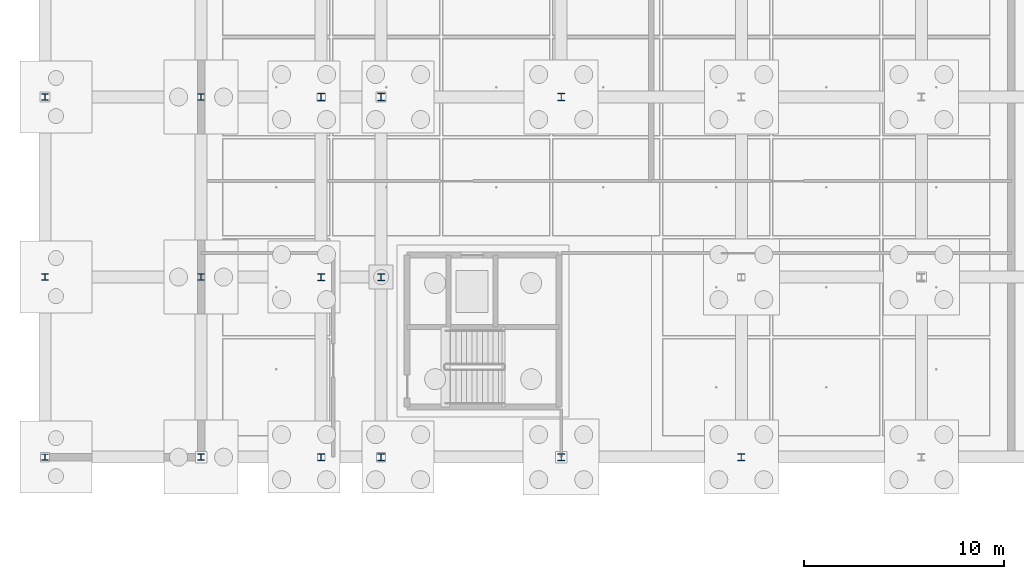
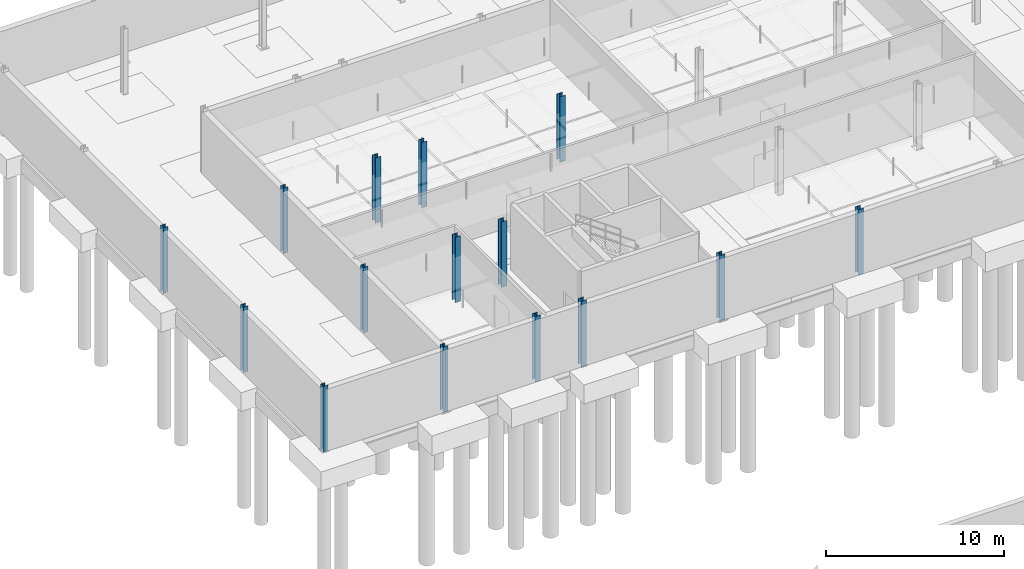
# One storey, part 11 of 48: 15 columns.
"""IFC4 building model written with IfcOpenShell, lengths in metres."""

import ifcopenshell
import ifcopenshell.guid

model = None  # the IFC model being written
_history = None  # IfcOwnerHistory: only IFC2X3 demands one
_inside = {}  # id of a spatial element -> (the spatial element, [elements in it])
_under = {}  # id of a project, library or spatial element -> (it, [spatial elements below it])
_declared = {}  # id of a project -> (the project, [libraries it declares])
_typed = {}  # id of a type object -> (the type object, [elements of that type])
_made_of = {}  # id of a material, layer set ... -> (it, [elements and type objects made of it])


def new_model(schema):
    """Start an empty IFC model of exactly this schema.

    Asked for "IFC4X3", IfcOpenShell would pick the latest addendum, in which some entities
    have other attributes; the version numbers below select the first issue.
    IFC2X3 requires an IfcOwnerHistory on every rooted entity: one is made here for all.
    """
    global model, _history
    if schema == "IFC4X3":
        model = ifcopenshell.file(schema_version=(4, 3, 0, 0))
    else:
        model = ifcopenshell.file(schema=schema)
    _inside.clear()
    _under.clear()
    _declared.clear()
    _typed.clear()
    _made_of.clear()
    _history = None
    if model.schema == "IFC2X3":
        org = make("IfcOrganization", Name="unknown")
        user = make(
            "IfcPersonAndOrganization",
            ThePerson=make("IfcPerson", FamilyName="unknown"),
            TheOrganization=org,
        )
        app = make(
            "IfcApplication",
            ApplicationDeveloper=org,
            Version="unknown",
            ApplicationFullName="unknown",
            ApplicationIdentifier="unknown",
        )
        _history = make(
            "IfcOwnerHistory",
            OwningUser=user,
            OwningApplication=app,
            ChangeAction="ADDED",
            CreationDate=0,
        )
    return model


def make(cls, **values):
    """One entity of the class cls with the attributes given. An attribute that is None is left unset."""
    return model.create_entity(
        cls, **{name: value for name, value in values.items() if value is not None}
    )


def rooted(cls, **values):
    """An entity with a GlobalId (a new one), such as an element, a storey or a relation."""
    return make(cls, GlobalId=ifcopenshell.guid.new(), OwnerHistory=_history, **values)


def si_unit(unit_type, name, prefix=None):
    """IfcSIUnit, for example si_unit("LENGTHUNIT", "METRE", prefix="MILLI")."""
    return make("IfcSIUnit", UnitType=unit_type, Prefix=prefix, Name=name)


def assignment(units):
    """IfcUnitAssignment: the units of a project."""
    return None if units is None else make("IfcUnitAssignment", Units=units)


def point(xyz):
    """IfcCartesianPoint."""
    return None if xyz is None else make("IfcCartesianPoint", Coordinates=xyz)


def direction(xyz):
    """IfcDirection."""
    return None if xyz is None else make("IfcDirection", DirectionRatios=xyz)


def frame(location, z_axis=None, x_axis=None):
    """IfcAxis2Placement3D, a coordinate frame: its origin and axes. An axis left out is left unset."""
    return make(
        "IfcAxis2Placement3D",
        Location=point(location),
        Axis=direction(z_axis),
        RefDirection=direction(x_axis),
    )


def frame_2d(location, x_axis=None):
    """IfcAxis2Placement2D, a coordinate frame in the plane: its origin and x axis."""
    return make(
        "IfcAxis2Placement2D", Location=point(location), RefDirection=direction(x_axis)
    )


def origin():
    """The frame at (0, 0, 0) with its axes left unset."""
    return frame((0.0, 0.0, 0.0))


def origin_2d():
    """The frame at (0, 0) in the plane with its x axis left unset."""
    return frame_2d((0.0, 0.0))


def place(relative_to, where):
    """IfcLocalPlacement: puts the frame where relative to a parent placement (None: the world)."""
    return make(
        "IfcLocalPlacement", PlacementRelTo=relative_to, RelativePlacement=where
    )


def context(
    kind, dimensions, precision=None, world=None, true_north=None, identifier=None
):
    """IfcGeometricRepresentationContext, for example the 3D "Model" context."""
    return make(
        "IfcGeometricRepresentationContext",
        ContextIdentifier=identifier,
        ContextType=kind,
        CoordinateSpaceDimension=dimensions,
        Precision=precision,
        WorldCoordinateSystem=world,
        TrueNorth=true_north,
    )


def subcontext(parent, identifier, kind, view, scale=None):
    """IfcGeometricRepresentationSubContext, for example "Body" below "Model"."""
    return make(
        "IfcGeometricRepresentationSubContext",
        ContextIdentifier=identifier,
        ContextType=kind,
        ParentContext=parent,
        TargetScale=scale,
        TargetView=view,
    )


def project(units=None, contexts=None):
    """IfcProject with its units and contexts."""
    return rooted(
        "IfcProject",
        Name="project",
        RepresentationContexts=contexts,
        UnitsInContext=assignment(units),
    )


def spatial(cls, under=None, at=None, **own):
    """A site, building, storey or space (cls), placed at a placement, below another one or the project."""
    s = rooted(cls, ObjectPlacement=at, **own)
    if under is not None:
        _under.setdefault(under.id(), (under, []))[1].append(s)
    return s


def profile(cls, at=None, kind="AREA", **sizes):
    """A parametric profile (cls). Its sizes go by their IFC names, for example OverallWidth=200.0."""
    return make(cls, ProfileType=kind, Position=at, **sizes)


def i_section(**sizes):
    """IfcIShapeProfileDef."""
    return profile("IfcIShapeProfileDef", **sizes)


def extrude(swept, where, along, depth):
    """IfcExtrudedAreaSolid: the profile swept, set in the frame where, extruded along a direction by depth."""
    return make(
        "IfcExtrudedAreaSolid",
        SweptArea=swept,
        Position=where,
        ExtrudedDirection=direction(along),
        Depth=depth,
    )


def shape(context_of_items, identifier, shape_type, items):
    """IfcShapeRepresentation: the items that make up one representation, for example the "Body"."""
    return make(
        "IfcShapeRepresentation",
        ContextOfItems=context_of_items,
        RepresentationIdentifier=identifier,
        RepresentationType=shape_type,
        Items=items,
    )


def material(Name=None, Category=None):
    """IfcMaterial."""
    return make("IfcMaterial", Name=Name, Category=Category)


def material_profile(
    of_material, cross_section, Name=None, Category=None, Priority=None
):
    """IfcMaterialProfile: a cross section and its material."""
    return make(
        "IfcMaterialProfile",
        Name=Name,
        Material=of_material,
        Profile=cross_section,
        Priority=Priority,
        Category=Category,
    )


def profile_set(profiles, Name=None, composite=None):
    """IfcMaterialProfileSet."""
    return make(
        "IfcMaterialProfileSet",
        Name=Name,
        MaterialProfiles=profiles,
        CompositeProfile=composite,
    )


def made_of(thing, what):
    """Note that an element or type object is made of a material, layer set ...; save() writes the relation."""
    if what is not None:
        _made_of.setdefault(what.id(), (what, []))[1].append(thing)
    return thing


def type_object(cls, material=None, **own):
    """A type object (cls), such as IfcWallType, which elements share."""
    return made_of(rooted(cls, **own), material)


def element(
    cls,
    number,
    at=None,
    inside=None,
    cuts=None,
    type_object=None,
    material=None,
    context=None,
    identifier="Body",
    shape_type=None,
    held_by="IfcProductDefinitionShape",
    body=None,
    shapes=None,
    **own,
):
    """One element of the class cls, such as IfcWall. Its Tag is "e" and its number.

    at: its placement. inside: the storey or other place that contains it. cuts: it is an
    opening in that element (IfcRelVoidsElement). A single representation is given by context,
    identifier, shape_type and body (its items); several are given by shapes. held_by: the class
    of the entity that holds the representations. save() writes the other relations.
    """
    e = rooted(cls, Tag="e%d" % number, ObjectPlacement=at, **own)
    if body is not None:
        shapes = [shape(context, identifier, shape_type, body)]
    if shapes is not None:
        e.Representation = make(held_by, Representations=shapes)
    if inside is not None:
        _inside.setdefault(inside.id(), (inside, []))[1].append(e)
    if cuts is not None:
        rooted(
            "IfcRelVoidsElement", RelatingBuildingElement=cuts, RelatedOpeningElement=e
        )
    if type_object is not None:
        _typed.setdefault(type_object.id(), (type_object, []))[1].append(e)
    return made_of(e, material)


def aggregate(whole, parts):
    """IfcRelAggregates: a whole, such as a stair, and the parts it consists of."""
    return rooted("IfcRelAggregates", RelatingObject=whole, RelatedObjects=parts)


def save(model, path):
    """Write the relations noted so far, then the file.

    IfcRelAggregates (storeys below a building ...), IfcRelContainedInSpatialStructure (elements
    in a storey), IfcRelDefinesByType, IfcRelAssociatesMaterial and IfcRelDeclares: one each for
    every whole, place, type object, material and project.
    """
    for whole, parts in _under.values():
        aggregate(whole, parts)
    for where, things in _inside.values():
        rooted(
            "IfcRelContainedInSpatialStructure",
            RelatedElements=things,
            RelatingStructure=where,
        )
    for kind, things in _typed.values():
        rooted("IfcRelDefinesByType", RelatedObjects=things, RelatingType=kind)
    for what, things in _made_of.values():
        rooted("IfcRelAssociatesMaterial", RelatedObjects=things, RelatingMaterial=what)
    for by, libraries in _declared.values():
        rooted("IfcRelDeclares", RelatingContext=by, RelatedDefinitions=libraries)
    model.write(path)


model = new_model("IFC4")

# Units and contexts
model_context = context("Model", 3, precision=1e-05, world=origin(), true_north=direction((0.0, 1.0)))
body_context = subcontext(model_context, "Body", "Model", "MODEL_VIEW")
ifc_project = project(units=[si_unit("LENGTHUNIT", "METRE"), si_unit("AREAUNIT", "SQUARE_METRE"), si_unit("VOLUMEUNIT", "CUBIC_METRE"), si_unit("PLANEANGLEUNIT", "RADIAN"), si_unit("MASSUNIT", "GRAM", prefix="KILO"), si_unit("THERMODYNAMICTEMPERATUREUNIT", "KELVIN"), si_unit("POWERUNIT", "WATT")], contexts=[model_context])

# Site, building, storey
site_placement = place(None, origin())
site = spatial("IfcSite", under=ifc_project, at=site_placement, CompositionType="ELEMENT")
building_placement = place(site_placement, origin())
building = spatial("IfcBuilding", under=site, at=building_placement, Name="Tallowbark Science Centre", CompositionType="ELEMENT")
storey_placement = place(building_placement, frame((0.0, 0.0, -4.5)))
storey = spatial("IfcBuildingStorey", under=building, at=storey_placement, Name="B1", CompositionType="ELEMENT", Elevation=-4.5)

# Columns
ifc_material = material(Name="Structural Steel Grade 300PLUS (300 MPa)", Category="steel")
ifc_material_profile_1 = material_profile(ifc_material, i_section(OverallWidth=0.30908203125, OverallDepth=0.320556640625, WebThickness=0.013916015625, FlangeThickness=0.021728515625, FilletRadius=0.0166015625, at=origin_2d()), Name="310UC137")
ifc_profile_set_1 = profile_set([ifc_material_profile_1], Name="Structural Steel Grade 300PLUS (300 MPa)")
column_type_1 = type_object("IfcColumnType", Name="COL-UC310B", PredefinedType="COLUMN", material=ifc_profile_set_1)
for number, where, z_axis, x_axis, name in (
    (1, (63.0, 72.0, 0.0), (0.0, 0.0, 1.0), (1.0, 0.0, 0.0), "Column LAB-1_0 B1"),
    (2, (63.0, 81.0, 0.0), (0.0, 0.0, 1.0), (1.0, 0.0, 0.0), "Column LAB-1_1 B1"),
    (3, (63.0, 90.0, 0.0), (0.0, 0.0, 1.0), (1.0, 0.0, 0.0), "Column LAB-1_2 B1"),
):
    element("IfcColumn", number, at=place(storey_placement, frame(where, z_axis=z_axis, x_axis=x_axis)), inside=storey, type_object=column_type_1, Name=name, PredefinedType="COLUMN", context=body_context, shape_type="SweptSolid", body=[
        extrude(i_section(OverallWidth=0.30908203125, OverallDepth=0.320556640625, WebThickness=0.013916015625, FlangeThickness=0.021728515625, FilletRadius=0.0166015625, at=origin_2d()), origin(), (0.0, 0.0, 1.0), 4.5),
    ])
ifc_material_profile_2 = material_profile(ifc_material, i_section(OverallWidth=0.307373046875, OverallDepth=0.314697265625, WebThickness=0.011962890625, FlangeThickness=0.018798828125, FilletRadius=0.0166015625, at=origin_2d()), Name="310UC118")
ifc_profile_set_2 = profile_set([ifc_material_profile_2], Name="Structural Steel Grade 300PLUS (300 MPa)")
column_type_2 = type_object("IfcColumnType", Name="COL-UC310C", PredefinedType="COLUMN", material=ifc_profile_set_2)
for number, where, z_axis, x_axis, name in (
    (4, (55.199951171875, 72.0, 0.0), (0.0, 0.0, 1.0), (1.0, 0.0, 0.0), "Column LAB-0_0 B1"),
    (5, (55.199951171875, 81.0, 0.0), (0.0, 0.0, 1.0), (1.0, 0.0, 0.0), "Column LAB-0_1 B1"),
    (6, (55.199951171875, 90.0, 0.0), (0.0, 0.0, 1.0), (1.0, 0.0, 0.0), "Column LAB-0_2 B1"),
):
    element("IfcColumn", number, at=place(storey_placement, frame(where, z_axis=z_axis, x_axis=x_axis)), inside=storey, type_object=column_type_2, Name=name, PredefinedType="COLUMN", context=body_context, shape_type="SweptSolid", body=[
        extrude(i_section(OverallWidth=0.307373046875, OverallDepth=0.314697265625, WebThickness=0.011962890625, FlangeThickness=0.018798828125, FilletRadius=0.0166015625, at=origin_2d()), origin(), (0.0, 0.0, 1.0), 4.5),
    ])
ifc_material_profile_3 = material_profile(ifc_material, i_section(OverallWidth=0.35009765625, OverallDepth=0.35888671875, WebThickness=0.01611328125, FlangeThickness=0.02392578125, FilletRadius=0.013916015625, at=origin_2d()), Name="350WC197")
ifc_profile_set_3 = profile_set([ifc_material_profile_3], Name="Structural Steel Grade 300PLUS (300 MPa)")
column_type_3 = type_object("IfcColumnType", Name="COL-WC350", PredefinedType="COLUMN", material=ifc_profile_set_3)
for number, where, z_axis, x_axis, name in (
    (7, (69.0, 72.0, 0.0), (0.0, 0.0, 1.0), (1.0, 0.0, 0.0), "Column LAB-2_0 B1"),
    (8, (69.0, 81.0, 0.0), (0.0, 0.0, 1.0), (1.0, 0.0, 0.0), "Column LAB-2_1 B1"),
    (9, (69.0, 90.0, 0.0), (0.0, 0.0, 1.0), (1.0, 0.0, 0.0), "Column LAB-2_2 B1"),
    (10, (72.0, 72.0, 0.0), (0.0, 0.0, 1.0), (1.0, 0.0, 0.0), "Column LAB-3_0 B1"),
    (11, (72.0, 81.0, 0.0), (0.0, 0.0, 1.0), (1.0, 0.0, 0.0), "Column LAB-3_1 B1"),
    (12, (72.0, 90.0, 0.0), (0.0, 0.0, 1.0), (1.0, 0.0, 0.0), "Column LAB-3_2 B1"),
    (13, (81.0, 72.0, 0.0), (0.0, 0.0, 1.0), (1.0, 0.0, 0.0), "Column LAB-4_0 B1"),
    (14, (81.0, 90.0, 0.0), (0.0, 0.0, 1.0), (1.0, 0.0, 0.0), "Column LAB-4_2 B1"),
    (15, (90.0, 72.0, 0.0), (0.0, 0.0, 1.0), (1.0, 0.0, 0.0), "Column LAB-5_0 B1"),
):
    element("IfcColumn", number, at=place(storey_placement, frame(where, z_axis=z_axis, x_axis=x_axis)), inside=storey, type_object=column_type_3, Name=name, PredefinedType="COLUMN", context=body_context, shape_type="SweptSolid", body=[
        extrude(i_section(OverallWidth=0.35009765625, OverallDepth=0.35888671875, WebThickness=0.01611328125, FlangeThickness=0.02392578125, FilletRadius=0.013916015625, at=origin_2d()), origin(), (0.0, 0.0, 1.0), 4.5),
    ])

save(model, "model.ifc")
